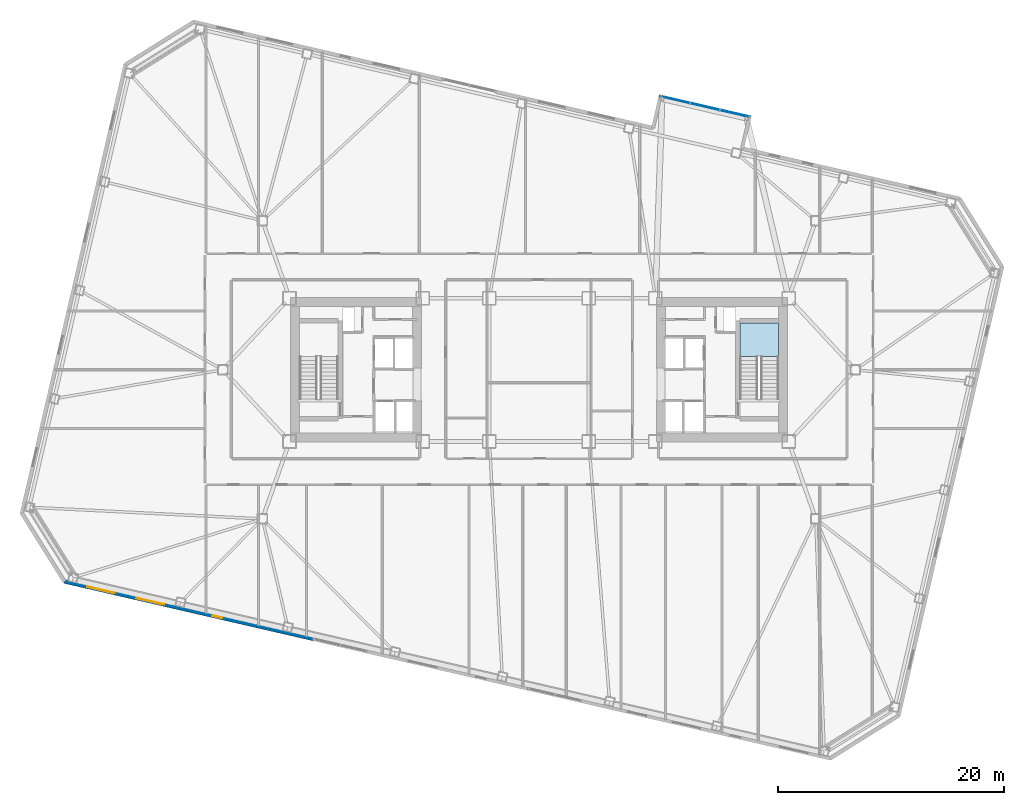
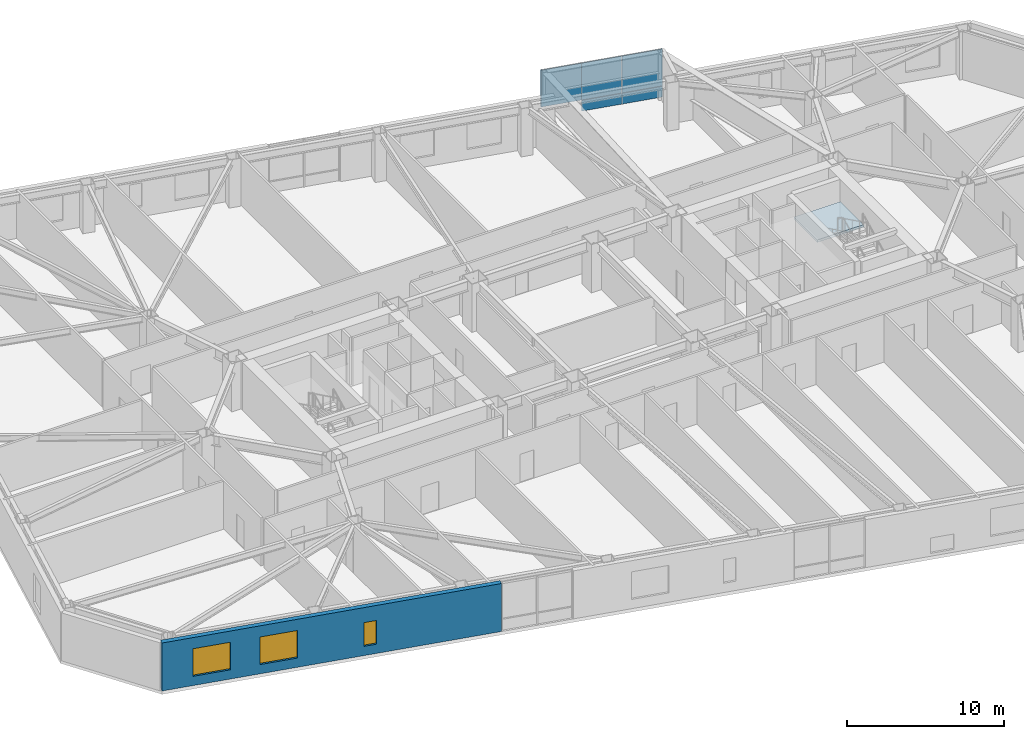
# One storey, part 12 of 23: 5 plates, 3 windows, 1 slab, 1 wall, 3 openings, 2 elements without a shape of their own.
"""IFC4 building model written with IfcOpenShell, lengths in metres."""

from ifc_helpers import new_model, si_unit, direction, frame, frame_2d, origin, origin_2d, place, context, subcontext, project, spatial, polyline, rectangle, outline, extrude, material, layer, layer_set, type_object, element, fill, aggregate, save


model = new_model("IFC4")

# Units and contexts
model_context = context("Model", 3, precision=1e-05, world=origin(), true_north=direction((0.0, 1.0)))
body_context = subcontext(model_context, "Body", "Model", "MODEL_VIEW")
ifc_project = project(units=[si_unit("LENGTHUNIT", "METRE"), si_unit("AREAUNIT", "SQUARE_METRE"), si_unit("VOLUMEUNIT", "CUBIC_METRE"), si_unit("PLANEANGLEUNIT", "RADIAN"), si_unit("MASSUNIT", "GRAM", prefix="KILO")], contexts=[model_context])

# Site, building, storey
site_placement = place(None, origin())
site = spatial("IfcSite", under=ifc_project, at=site_placement, CompositionType="ELEMENT")
building_placement = place(site_placement, origin())
building = spatial("IfcBuilding", under=site, at=building_placement, Name="Tavrogorsk Clinical Tower", CompositionType="ELEMENT")
storey_placement = place(building_placement, frame((0.0, 0.0, 63.39990234375)))
storey = spatial("IfcBuildingStorey", under=building, at=storey_placement, Name="L13", CompositionType="ELEMENT", Elevation=63.39990234375)

# Curtain wall, plates
ifc_material_1 = material(Name="Anodised aluminium and triple IGU glazing", Category="aluminium")
ifc_layer_1 = layer(ifc_material_1, 0.179931640625)
ifc_layer_set_1 = layer_set([ifc_layer_1], Name="Anodised aluminium and triple IGU glazing")
curtain_wall_type = type_object("IfcCurtainWallType", Name="CW4_DayroomBox", PredefinedType="NOTDEFINED", material=ifc_layer_set_1)
curtain_wall_placement = place(storey_placement, origin())
curtain_wall = element("IfcCurtainWall", 1, at=curtain_wall_placement, inside=storey, type_object=curtain_wall_type, Name="L13 Curtain Wall CW-DRB-02-L13", PredefinedType="NOTDEFINED")
ifc_material_2 = material(Name="Honed Podolsk limestone spandrel panel", Category="masonry")
ifc_layer_2 = layer(ifc_material_2, 0.080078125)
ifc_layer_set_2 = layer_set([ifc_layer_2], Name="Honed Podolsk limestone spandrel panel")
plate_type_1 = type_object("IfcPlateType", Name="CwSpandrelStonePanel_80", PredefinedType="CURTAIN_PANEL", material=ifc_layer_set_2)
plate_1_placement = place(storey_placement, frame((14.68408203125, 23.30029296875, 0.002197265625), z_axis=(0.0, 0.0, 1.0), x_axis=(0.974370049065, -0.224951122436, 0.0)))
plate_1 = element("IfcPlate", 2, at=plate_1_placement, type_object=plate_type_1, Name="CW-DRB-02-L13 Stone Spandrel Panel 2", PredefinedType="CURTAIN_PANEL", context=body_context, shape_type="SweptSolid", body=[
    extrude(rectangle(XDim=2.676025390625, YDim=0.080078125, at=origin_2d()), origin(), (0.0, 0.0, 1.0), 0.8359375),
])
plate_2_placement = place(storey_placement, frame((17.32080078125, 22.69140625, 0.002197265625), z_axis=(0.0, 0.0, 1.0), x_axis=(0.974370049065, -0.224951122436, 0.0)))
plate_2 = element("IfcPlate", 3, at=plate_2_placement, type_object=plate_type_1, Name="CW-DRB-02-L13 Stone Spandrel Panel 3", PredefinedType="CURTAIN_PANEL", context=body_context, shape_type="SweptSolid", body=[
    extrude(rectangle(XDim=2.68798828125, YDim=0.080078125, at=origin_2d()), origin(), (0.0, 0.0, 1.0), 0.8359375),
])
ifc_material_3 = material(Name="Triple low-E argon insulated glass", Category="glass")
ifc_layer_3 = layer(ifc_material_3, 0.048095703125)
ifc_layer_set_3 = layer_set([ifc_layer_3], Name="Triple low-E argon insulated glass")
plate_type_2 = type_object("IfcPlateType", Name="CwVisionGlassPanel_48", PredefinedType="CURTAIN_PANEL", material=ifc_layer_set_3)
plate_3_placement = place(storey_placement, frame((12.047607421875, 23.908935546875, 0.862060546875), z_axis=(0.0, 0.0, 1.0), x_axis=(0.974370049065, -0.224951122436, 0.0)))
plate_3 = element("IfcPlate", 4, at=plate_3_placement, type_object=plate_type_2, Name="CW-DRB-02-L13 Glazing Panel 1", PredefinedType="CURTAIN_PANEL", context=body_context, shape_type="SweptSolid", body=[
    extrude(rectangle(XDim=2.68798828125, YDim=0.048095703125, at=origin_2d()), origin(), (0.0, 0.0, 1.0), 2.8759765625),
])
plate_4_placement = place(storey_placement, frame((14.68408203125, 23.30029296875, 0.862060546875), z_axis=(0.0, 0.0, 1.0), x_axis=(0.974370049065, -0.224951122436, 0.0)))
plate_4 = element("IfcPlate", 5, at=plate_4_placement, type_object=plate_type_2, Name="CW-DRB-02-L13 Glazing Panel 2", PredefinedType="CURTAIN_PANEL", context=body_context, shape_type="SweptSolid", body=[
    extrude(rectangle(XDim=2.676025390625, YDim=0.048095703125, at=origin_2d()), origin(), (0.0, 0.0, 1.0), 2.8759765625),
])
plate_5_placement = place(storey_placement, frame((17.32080078125, 22.69140625, 0.862060546875), z_axis=(0.0, 0.0, 1.0), x_axis=(0.974370049065, -0.224951122436, 0.0)))
plate_5 = element("IfcPlate", 6, at=plate_5_placement, type_object=plate_type_2, Name="CW-DRB-02-L13 Glazing Panel 3", PredefinedType="CURTAIN_PANEL", context=body_context, shape_type="SweptSolid", body=[
    extrude(rectangle(XDim=2.68798828125, YDim=0.048095703125, at=origin_2d()), origin(), (0.0, 0.0, 1.0), 2.8759765625),
])
aggregate(curtain_wall, [plate_3, plate_1, plate_4, plate_2, plate_5])

# Stair, slab
ifc_material_4 = material(Name="Concrete B60", Category="concrete")
stair_type = type_object("IfcStairType", Name="CoreStairAssembly", PredefinedType="HALF_TURN_STAIR", material=ifc_material_4)
stair_placement = place(storey_placement, origin())
stair = element("IfcStair", 7, at=stair_placement, inside=storey, type_object=stair_type, Name="L13 ST-E", PredefinedType="HALF_TURN_STAIR")
ifc_material_5 = material(Name="Concrete B60", Category="concrete")
ifc_layer_4 = layer(ifc_material_5, 0.199951171875)
ifc_layer_set_4 = layer_set([ifc_layer_4], Name="Concrete B60")
slab_type = type_object("IfcSlabType", Name="StairLanding_200", PredefinedType="LANDING", material=ifc_layer_set_4)
slab_placement = place(storey_placement, frame((0.0, 0.0, 1.800048828125)))
slab = element("IfcSlab", 8, at=slab_placement, type_object=slab_type, Name="ST-E landing 1", PredefinedType="LANDING", context=body_context, shape_type="SweptSolid", body=[
    extrude(outline(polyline([(21.199951171875, 1.1650390625), (21.199951171875, 4.125), (17.800048828125, 4.125), (17.800048828125, 1.1650390625), (21.199951171875, 1.1650390625)])), origin(), (0.0, 0.0, 1.0), 0.199951171875),
])
aggregate(stair, [slab])

# Wall, openings, windows
ifc_material_6 = material(Name="Precast concrete B45 with limestone cladding", Category="masonry")
ifc_layer_5 = layer(ifc_material_6, 0.340087890625)
ifc_layer_set_5 = layer_set([ifc_layer_5], Name="Precast concrete B45 with limestone cladding")
wall_type = type_object("IfcWallType", Name="PrecastLimestoneWall_340", PredefinedType="STANDARD", material=ifc_layer_set_5)
wall_placement = place(storey_placement, frame((-42.028564453125, -18.75, 0.0), z_axis=(0.0, 0.0, 1.0), x_axis=(0.97436993772, -0.224951604723, 0.0)))
wall = element("IfcWall", 9, at=wall_placement, inside=storey, type_object=wall_type, Name="L13 S Limestone Facade Wall 1", PredefinedType="STANDARD", context=body_context, shape_type="SweptSolid", body=[
    extrude(rectangle(XDim=22.6513671875, YDim=0.340087890625, at=frame_2d((11.32568359375, 0.0))), origin(), (0.0, 0.0, 1.0), 3.739990234375),
])
opening_1_placement = place(wall_placement, frame((2.06201171875, 0.0, 0.719970703125)))
opening_1 = element("IfcOpeningElement", 10, at=opening_1_placement, cuts=wall, Name="Opening WN-11", PredefinedType="OPENING", context=body_context, shape_type="SweptSolid", body=[
    extrude(rectangle(XDim=2.5, YDim=2.14990234375, at=frame_2d((1.25, 1.074951171875))), frame((0.0, 0.179931640625, 0.0), z_axis=(0.0, -1.0, 0.0), x_axis=(1.0, 0.0, 0.0)), (0.0, 0.0, 1.0), 0.360107421875),
])
opening_2_placement = place(wall_placement, frame((6.54638671875, 0.0, 0.719970703125)))
opening_2 = element("IfcOpeningElement", 11, at=opening_2_placement, cuts=wall, Name="Opening WN-11", PredefinedType="OPENING", context=body_context, shape_type="SweptSolid", body=[
    extrude(rectangle(XDim=2.5, YDim=2.14990234375, at=frame_2d((1.25, 1.074951171875))), frame((0.0, 0.179931640625, 0.0), z_axis=(0.0, -1.0, 0.0), x_axis=(1.0, 0.0, 0.0)), (0.0, 0.0, 1.0), 0.360107421875),
])
opening_3_placement = place(wall_placement, frame((13.460693359375, 0.0, 0.719970703125)))
opening_3 = element("IfcOpeningElement", 12, at=opening_3_placement, cuts=wall, Name="Opening WN-06", PredefinedType="OPENING", context=body_context, shape_type="SweptSolid", body=[
    extrude(rectangle(XDim=0.85009765625, YDim=1.85009765625, at=frame_2d((0.425048828125, 0.925048828125))), frame((0.0, 0.179931640625, 0.0), z_axis=(0.0, -1.0, 0.0), x_axis=(1.0, 0.0, 0.0)), (0.0, 0.0, 1.0), 0.360107421875),
])
ifc_material_7 = material(Name="Thermally broken aluminium frame and triple IGU", Category="aluminium")
window_type_1 = type_object("IfcWindowType", Name="MullionSubWin_850x1850", PartitioningType="SINGLE_PANEL", PredefinedType="WINDOW", material=ifc_material_7)
window_1_placement = place(opening_3_placement, origin())
window_1 = element("IfcWindow", 13, at=window_1_placement, inside=storey, type_object=window_type_1, Name="L13 S Mullion Split Window 03B", OverallHeight=1.85009765625, OverallWidth=0.85009765625, PartitioningType="SINGLE_PANEL", PredefinedType="WINDOW", context=body_context, shape_type="SweptSolid", body=[
    extrude(rectangle(XDim=0.85009765625, YDim=1.85009765625, at=frame_2d((0.425048828125, 0.925048828125))), frame((0.0, 0.030029296875, 0.0), z_axis=(0.0, -1.0, 0.0), x_axis=(1.0, 0.0, 0.0)), (0.0, 0.0, 1.0), 0.06005859375),
])
fill(opening_3, window_1)
ifc_material_8 = material(Name="Thermally broken aluminium frame and triple IGU", Category="aluminium")
window_type_2 = type_object("IfcWindowType", Name="StepDownWin_2500x2150", PartitioningType="TRIPLE_PANEL_HORIZONTAL", PredefinedType="WINDOW", material=ifc_material_8)
window_2_placement = place(opening_1_placement, origin())
window_2 = element("IfcWindow", 14, at=window_2_placement, inside=storey, type_object=window_type_2, Name="L13 S Chicago Window 01", OverallHeight=2.14990234375, OverallWidth=2.5, PartitioningType="SINGLE_PANEL", PredefinedType="WINDOW", context=body_context, shape_type="SweptSolid", body=[
    extrude(rectangle(XDim=2.5, YDim=2.14990234375, at=frame_2d((1.25, 1.074951171875))), frame((0.0, 0.030029296875, 0.0), z_axis=(0.0, -1.0, 0.0), x_axis=(1.0, 0.0, 0.0)), (0.0, 0.0, 1.0), 0.06005859375),
])
fill(opening_1, window_2)
window_3_placement = place(opening_2_placement, origin())
window_3 = element("IfcWindow", 15, at=window_3_placement, inside=storey, type_object=window_type_2, Name="L13 S Chicago Window 02", OverallHeight=2.14990234375, OverallWidth=2.5, PartitioningType="SINGLE_PANEL", PredefinedType="WINDOW", context=body_context, shape_type="SweptSolid", body=[
    extrude(rectangle(XDim=2.5, YDim=2.14990234375, at=frame_2d((1.25, 1.074951171875))), frame((0.0, 0.030029296875, 0.0), z_axis=(0.0, -1.0, 0.0), x_axis=(1.0, 0.0, 0.0)), (0.0, 0.0, 1.0), 0.06005859375),
])
fill(opening_2, window_3)

save(model, "model.ifc")
